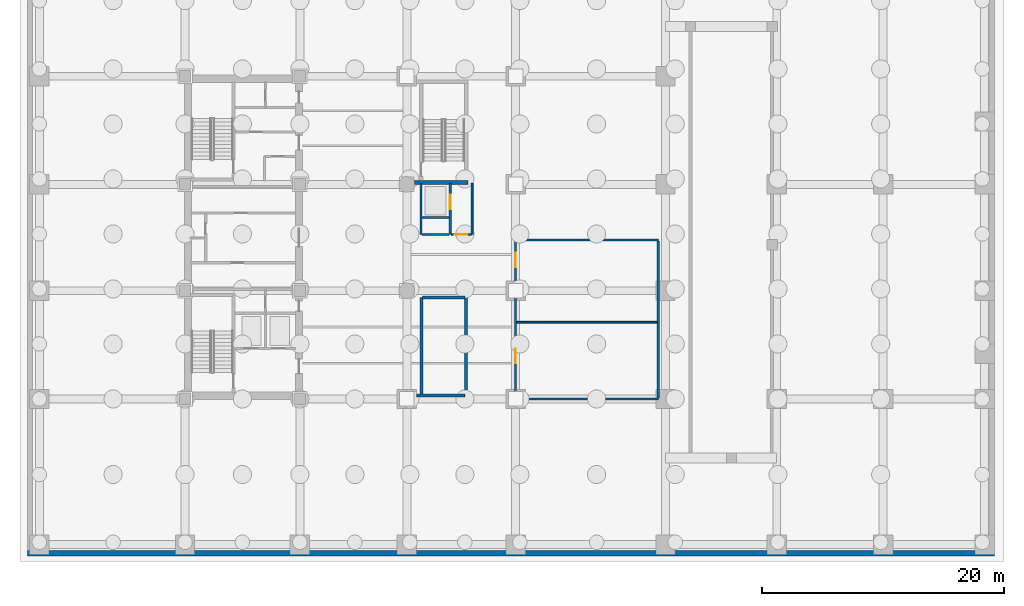
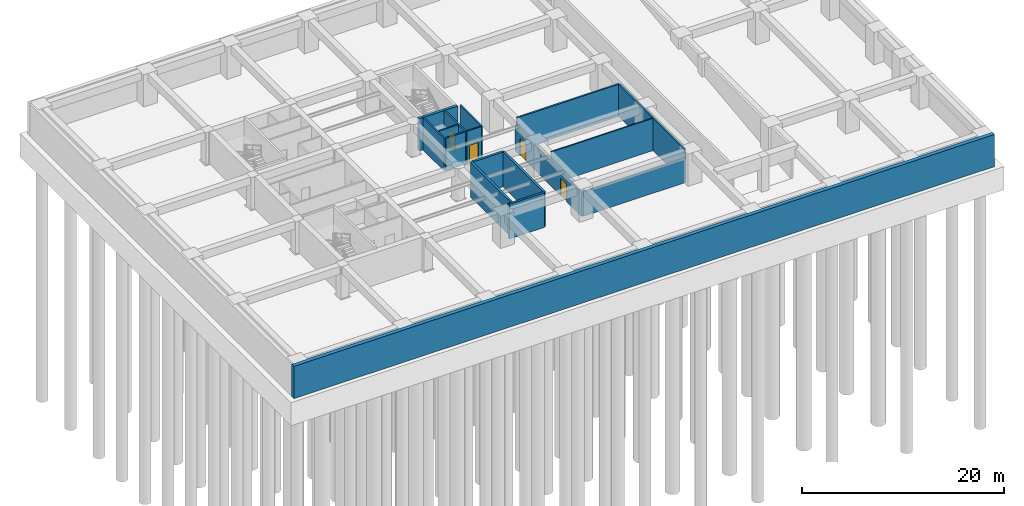
# One storey, part 5 of 9: 17 walls, 4 doors, 4 openings.
"""IFC4 building model written with IfcOpenShell, lengths in metres."""

from ifc_helpers import new_model, si_unit, direction, frame, frame_2d, origin, place, context, subcontext, project, spatial, rectangle, extrude, material, layer, layer_set, type_object, element, fill, save


model = new_model("IFC4")

# Units and contexts
model_context = context("Model", 3, precision=1e-05, world=origin(), true_north=direction((0.0, 1.0)))
body_context = subcontext(model_context, "Body", "Model", "MODEL_VIEW")
ifc_project = project(units=[si_unit("LENGTHUNIT", "METRE"), si_unit("AREAUNIT", "SQUARE_METRE"), si_unit("VOLUMEUNIT", "CUBIC_METRE"), si_unit("PLANEANGLEUNIT", "RADIAN"), si_unit("MASSUNIT", "GRAM", prefix="KILO")], contexts=[model_context])

# Site, building, storey
site_placement = place(None, origin())
site = spatial("IfcSite", under=ifc_project, at=site_placement, CompositionType="ELEMENT")
building_placement = place(site_placement, origin())
building = spatial("IfcBuilding", under=site, at=building_placement, Name="Kundavana Baori Tower", CompositionType="ELEMENT")
storey_placement = place(building_placement, frame((0.0, 0.0, -8.39990234375)))
storey = spatial("IfcBuildingStorey", under=building, at=storey_placement, Name="B02", CompositionType="ELEMENT", Elevation=-8.39990234375)

# Walls
ifc_material_1 = material(Name="Concrete C50/60", Category="concrete")
ifc_layer_1 = layer(ifc_material_1, 0.39990234375, Name="WL-CORE-400")
ifc_layer_set_1 = layer_set([ifc_layer_1], Name="Concrete C50/60")
wall_type_1 = type_object("IfcWallType", Name="WL-CORE-400", PredefinedType="SHEAR", material=ifc_layer_set_1)
for number, where, z_axis, x_axis, name in (
    (1, (35.010009765625, 15.5400390625, 0.0), (0.0, 0.0, 1.0), (0.0, 1.0, 0.0), "B02 Stair ST4 Substructure Shear Wall W"),
    (2, (38.68994140625, 15.5400390625, 0.0), (0.0, 0.0, 1.0), (0.0, 1.0, 0.0), "B02 Stair ST4 Substructure Shear Wall E"),
):
    element("IfcWall", number, at=place(storey_placement, frame(where, z_axis=z_axis, x_axis=x_axis)), inside=storey, type_object=wall_type_1, Name=name, PredefinedType="SHEAR", context=body_context, shape_type="SweptSolid", body=[
        extrude(rectangle(XDim=8.119873046875, YDim=0.239990234375, at=frame_2d((4.06005859375, 0.0))), origin(), (0.0, 0.0, 1.0), 4.199951171875),
    ])
wall_1_placement = place(storey_placement, frame((34.60009765625, 15.5400390625, 0.0), z_axis=(0.0, 0.0, 1.0), x_axis=(1.0, 0.0, 0.0)))
element("IfcWall", 3, at=wall_1_placement, inside=storey, type_object=wall_type_1, Name="B02 Stair ST4 Substructure Shear Wall S", PredefinedType="SHEAR", context=body_context, shape_type="SweptSolid", body=[
    extrude(rectangle(XDim=4.0, YDim=0.239990234375, at=frame_2d((2.0, 0.0))), origin(), (0.0, 0.0, 1.0), 4.199951171875),
])
wall_2_placement = place(storey_placement, frame((35.10009765625, 23.659912109375, 0.0), z_axis=(0.0, 0.0, 1.0), x_axis=(1.0, 0.0, 0.0)))
element("IfcWall", 4, at=wall_2_placement, inside=storey, type_object=wall_type_1, Name="B02 Stair ST4 Substructure Shear Wall N", PredefinedType="SHEAR", context=body_context, shape_type="SweptSolid", body=[
    extrude(rectangle(XDim=3.5, YDim=0.239990234375, at=frame_2d((1.75, 0.0))), origin(), (0.0, 0.0, 1.0), 4.199951171875),
])
ifc_material_2 = material(Name="Fire-Rated Gypsum Drywall on Galvanised Steel Studs", Category="steel")
ifc_layer_2 = layer(ifc_material_2, 0.14990234375, Name="WL-PART-150")
ifc_layer_set_2 = layer_set([ifc_layer_2], Name="Fire-Rated Gypsum Drywall on Galvanised Steel Studs")
wall_type_2 = type_object("IfcWallType", Name="WL-PART-150", PredefinedType="PARTITIONING", material=ifc_layer_set_2)
wall_3_placement = place(storey_placement, frame((39.199951171875, 28.860107421875, 0.0), z_axis=(0.0, 0.0, 1.0), x_axis=(0.0, 1.0, 0.0)))
element("IfcWall", 5, at=wall_3_placement, inside=storey, type_object=wall_type_2, Name="WL-B02-SVLOB-E", PredefinedType="PARTITIONING", context=body_context, shape_type="SweptSolid", body=[
    extrude(rectangle(XDim=4.219970703125, YDim=0.14990234375, at=frame_2d((2.10986328125, 0.0))), origin(), (0.0, 0.0, 1.0), 3.89990234375),
])

# Wall, opening, door
wall_4_placement = place(storey_placement, frame((37.47998046875, 28.860107421875, 0.0), z_axis=(0.0, 0.0, 1.0), x_axis=(1.0, 0.0, 0.0)))
wall_4 = element("IfcWall", 6, at=wall_4_placement, inside=storey, type_object=wall_type_2, Name="WL-B02-SVLOB-S", PredefinedType="PARTITIONING", context=body_context, shape_type="SweptSolid", body=[
    extrude(rectangle(XDim=1.64013671875, YDim=0.14990234375, at=frame_2d((0.820068359375, 0.0))), origin(), (0.0, 0.0, 1.0), 3.89990234375),
])
opening_1_placement = place(wall_4_placement, frame((0.300048828125, 0.0, 0.0)))
opening_1 = element("IfcOpeningElement", 7, at=opening_1_placement, cuts=wall_4, Name="Opening FD-100", PredefinedType="OPENING", context=body_context, shape_type="SweptSolid", body=[
    extrude(rectangle(XDim=1.0, YDim=2.10009765625, at=frame_2d((0.5, 1.050048828125))), frame((0.0, 0.0849609375, 0.0), z_axis=(0.0, -1.0, 0.0), x_axis=(1.0, 0.0, 0.0)), (0.0, 0.0, 1.0), 0.169921875),
])
ifc_material_3 = material(Name="Engineered Teak Fire-Rated Timber Door Leaf", Category="wood")
door_type_1 = type_object("IfcDoorType", Name="DR-FD60-1000", OperationType="NOTDEFINED", PredefinedType="DOOR", material=ifc_material_3)
door_1_placement = place(opening_1_placement, origin())
door_1 = element("IfcDoor", 8, at=door_1_placement, inside=storey, type_object=door_type_1, Name="DR-B02-SVLOB-OUT", OperationType="SINGLE_SWING_LEFT", OverallHeight=2.10009765625, OverallWidth=1.0, PredefinedType="DOOR", context=body_context, shape_type="SweptSolid", body=[
    extrude(rectangle(XDim=1.0, YDim=2.10009765625, at=frame_2d((0.5, 1.050048828125))), frame((0.0, 0.02490234375, 0.0), z_axis=(0.0, -1.0, 0.0), x_axis=(1.0, 0.0, 0.0)), (0.0, 0.0, 1.0), 0.050048828125),
])
fill(opening_1, door_1)

# Wall
wall_5_placement = place(storey_placement, frame((42.889892578125, 21.60009765625, 0.0), z_axis=(0.0, 0.0, 1.0), x_axis=(1.0, 0.0, 0.0)))
element("IfcWall", 9, at=wall_5_placement, inside=storey, type_object=wall_type_2, Name="WL-B02-BPLT-D1", PredefinedType="PARTITIONING", context=body_context, shape_type="SweptSolid", body=[
    extrude(rectangle(XDim=11.6201171875, YDim=0.14990234375, at=frame_2d((5.81005859375, 0.0))), origin(), (0.0, 0.0, 1.0), 3.89990234375),
])

# Wall, openings, doors
ifc_material_4 = material(Name="Autoclaved Aerated Concrete Blockwork Masonry", Category="masonry")
ifc_layer_3 = layer(ifc_material_4, 0.18505859375, Name="WL-PART-180")
ifc_layer_set_3 = layer_set([ifc_layer_3], Name="Autoclaved Aerated Concrete Blockwork Masonry")
wall_type_3 = type_object("IfcWallType", Name="WL-PART-180", PredefinedType="SOLIDWALL", material=ifc_layer_set_3)
wall_6_placement = place(storey_placement, frame((42.800048828125, 15.25, 0.0), z_axis=(0.0, 0.0, 1.0), x_axis=(0.0, 1.0, 0.0)))
wall_6 = element("IfcWall", 10, at=wall_6_placement, inside=storey, type_object=wall_type_3, Name="WL-B02-BPLT-W", PredefinedType="SOLIDWALL", context=body_context, shape_type="SweptSolid", body=[
    extrude(rectangle(XDim=13.14990234375, YDim=0.18505859375, at=frame_2d((6.574951171875, 0.0))), origin(), (0.0, 0.0, 1.0), 2.949951171875),
])
opening_2_placement = place(wall_6_placement, frame((2.949951171875, 0.0, 0.0)))
opening_2 = element("IfcOpeningElement", 11, at=opening_2_placement, cuts=wall_6, Name="Opening FD-120", PredefinedType="OPENING", context=body_context, shape_type="SweptSolid", body=[
    extrude(rectangle(XDim=1.199951171875, YDim=2.10009765625, at=frame_2d((0.60009765625, 1.050048828125))), frame((0.0, 0.1025390625, 0.0), z_axis=(0.0, -1.0, 0.0), x_axis=(1.0, 0.0, 0.0)), (0.0, 0.0, 1.0), 0.205078125),
])
opening_3_placement = place(wall_6_placement, frame((10.89990234375, 0.0, 0.0)))
opening_3 = element("IfcOpeningElement", 12, at=opening_3_placement, cuts=wall_6, Name="Opening FD-120", PredefinedType="OPENING", context=body_context, shape_type="SweptSolid", body=[
    extrude(rectangle(XDim=1.199951171875, YDim=2.10009765625, at=frame_2d((0.60009765625, 1.050048828125))), frame((0.0, 0.1025390625, 0.0), z_axis=(0.0, -1.0, 0.0), x_axis=(1.0, 0.0, 0.0)), (0.0, 0.0, 1.0), 0.205078125),
])
ifc_material_5 = material(Name="Galvanised Steel Fire-Rated Door Leaf", Category="steel")
door_type_2 = type_object("IfcDoorType", Name="DR-FD120-1200", OperationType="NOTDEFINED", PredefinedType="DOOR", material=ifc_material_5)
door_2_placement = place(opening_2_placement, origin())
door_2 = element("IfcDoor", 13, at=door_2_placement, inside=storey, type_object=door_type_2, Name="DR-B02-BPLT1", OperationType="SINGLE_SWING_LEFT", OverallHeight=2.10009765625, OverallWidth=1.199951171875, PredefinedType="DOOR", context=body_context, shape_type="SweptSolid", body=[
    extrude(rectangle(XDim=1.199951171875, YDim=2.10009765625, at=frame_2d((0.60009765625, 1.050048828125))), frame((0.0, 0.02490234375, 0.0), z_axis=(0.0, -1.0, 0.0), x_axis=(1.0, 0.0, 0.0)), (0.0, 0.0, 1.0), 0.050048828125),
])
fill(opening_2, door_2)
door_3_placement = place(opening_3_placement, origin())
door_3 = element("IfcDoor", 14, at=door_3_placement, inside=storey, type_object=door_type_2, Name="DR-B02-BPLT2", OperationType="SINGLE_SWING_RIGHT", OverallHeight=2.10009765625, OverallWidth=1.199951171875, PredefinedType="DOOR", context=body_context, shape_type="SweptSolid", body=[
    extrude(rectangle(XDim=1.199951171875, YDim=2.10009765625, at=frame_2d((0.60009765625, 1.050048828125))), frame((0.0, 0.02490234375, 0.0), z_axis=(0.0, -1.0, 0.0), x_axis=(1.0, 0.0, 0.0)), (0.0, 0.0, 1.0), 0.050048828125),
])
fill(opening_3, door_3)

# Walls
wall_7_placement = place(storey_placement, frame((42.889892578125, 28.39990234375, 0.0), z_axis=(0.0, 0.0, 1.0), x_axis=(1.0, 0.0, 0.0)))
element("IfcWall", 15, at=wall_7_placement, inside=storey, type_object=wall_type_3, Name="WL-B02-BPLT-N", PredefinedType="SOLIDWALL", context=body_context, shape_type="SweptSolid", body=[
    extrude(rectangle(XDim=11.710205078125, YDim=0.18505859375, at=frame_2d((5.85498046875, 0.0))), origin(), (0.0, 0.0, 1.0), 3.89990234375),
])
wall_8_placement = place(storey_placement, frame((42.889892578125, 15.25, 0.0), z_axis=(0.0, 0.0, 1.0), x_axis=(1.0, 0.0, 0.0)))
element("IfcWall", 16, at=wall_8_placement, inside=storey, type_object=wall_type_3, Name="WL-B02-BPLT-S", PredefinedType="SOLIDWALL", context=body_context, shape_type="SweptSolid", body=[
    extrude(rectangle(XDim=11.710205078125, YDim=0.18505859375, at=frame_2d((5.85498046875, 0.0))), origin(), (0.0, 0.0, 1.0), 2.949951171875),
])
wall_9_placement = place(storey_placement, frame((54.60009765625, 15.340087890625, 0.0), z_axis=(0.0, 0.0, 1.0), x_axis=(0.0, 1.0, 0.0)))
element("IfcWall", 17, at=wall_9_placement, inside=storey, type_object=wall_type_3, Name="WL-B02-BPLT-E", PredefinedType="SOLIDWALL", context=body_context, shape_type="SweptSolid", body=[
    extrude(rectangle(XDim=12.969970703125, YDim=0.18505859375, at=frame_2d((6.48486328125, 0.0))), origin(), (0.0, 0.0, 1.0), 3.89990234375),
])
ifc_material_6 = material(Name="Concrete C40/50", Category="concrete")
ifc_layer_4 = layer(ifc_material_6, 0.449951171875, Name="WL-RET-450")
ifc_layer_set_4 = layer_set([ifc_layer_4], Name="Concrete C40/50")
wall_type_4 = type_object("IfcWallType", Name="WL-RET-450", PredefinedType="SHEAR", material=ifc_layer_set_4)
wall_10_placement = place(storey_placement, frame((2.39990234375, 2.47509765625, 0.0), z_axis=(0.0, 0.0, 1.0), x_axis=(1.0, 0.0, 0.0)))
element("IfcWall", 18, at=wall_10_placement, inside=storey, type_object=wall_type_4, Name="B02 South Perimeter Retaining Wall", PredefinedType="SHEAR", context=body_context, shape_type="SweptSolid", body=[
    extrude(rectangle(XDim=80.0, YDim=0.449951171875, at=frame_2d((40.0, 0.0))), origin(), (0.0, 0.0, 1.0), 3.89990234375),
])
ifc_material_7 = material(Name="Autoclaved Aerated Concrete Blockwork Masonry", Category="masonry")
ifc_layer_5 = layer(ifc_material_7, 0.179931640625, Name="WL-SHAFT-180")
ifc_layer_set_5 = layer_set([ifc_layer_5], Name="Autoclaved Aerated Concrete Blockwork Masonry")
wall_type_5 = type_object("IfcWallType", Name="WL-SHAFT-180", PredefinedType="SOLIDWALL", material=ifc_layer_set_5)
wall_11_placement = place(storey_placement, frame((34.9599609375, 28.860107421875, 0.0), z_axis=(0.0, 0.0, 1.0), x_axis=(0.0, 1.0, 0.0)))
element("IfcWall", 19, at=wall_11_placement, inside=storey, type_object=wall_type_5, Name="WL-B02-SVL-W", PredefinedType="SOLIDWALL", context=body_context, shape_type="SweptSolid", body=[
    extrude(rectangle(XDim=4.219970703125, YDim=0.179931640625, at=frame_2d((2.10986328125, 0.0))), origin(), (0.0, 0.0, 1.0), 3.89990234375),
])

# Wall, opening, door
wall_12_placement = place(storey_placement, frame((37.389892578125, 28.860107421875, 0.0), z_axis=(0.0, 0.0, 1.0), x_axis=(0.0, 1.0, 0.0)))
wall_12 = element("IfcWall", 20, at=wall_12_placement, inside=storey, type_object=wall_type_5, Name="WL-B02-SVL-E", PredefinedType="SOLIDWALL", context=body_context, shape_type="SweptSolid", body=[
    extrude(rectangle(XDim=4.219970703125, YDim=0.179931640625, at=frame_2d((2.10986328125, 0.0))), origin(), (0.0, 0.0, 1.0), 3.89990234375),
])
opening_4_placement = place(wall_12_placement, frame((2.10009765625, 0.0, 0.0)))
opening_4 = element("IfcOpeningElement", 21, at=opening_4_placement, cuts=wall_12, Name="Opening LD-120", PredefinedType="OPENING", context=body_context, shape_type="SweptSolid", body=[
    extrude(rectangle(XDim=1.199951171875, YDim=2.1201171875, at=frame_2d((0.60009765625, 1.06005859375))), frame((0.0, 0.10009765625, 0.0), z_axis=(0.0, -1.0, 0.0), x_axis=(1.0, 0.0, 0.0)), (0.0, 0.0, 1.0), 0.199951171875),
])
ifc_material_8 = material(Name="Galvanised Steel Fire-Rated Door Leaf", Category="steel")
door_type_3 = type_object("IfcDoorType", Name="DR-SLIDE-LD1200", OperationType="NOTDEFINED", PredefinedType="DOOR", material=ifc_material_8)
door_4_placement = place(opening_4_placement, frame((1.199951171875, 0.0, 0.0), z_axis=(0.0, 0.0, 1.0), x_axis=(-1.0, 0.0, 0.0)))
door_4 = element("IfcDoor", 22, at=door_4_placement, inside=storey, type_object=door_type_3, Name="DR-B02-LD-SVL1", OperationType="DOUBLE_DOOR_SLIDING", OverallHeight=2.1201171875, OverallWidth=1.199951171875, PredefinedType="DOOR", context=body_context, shape_type="SweptSolid", body=[
    extrude(rectangle(XDim=1.199951171875, YDim=2.1201171875, at=frame_2d((0.60009765625, 1.06005859375))), frame((0.0, 0.02490234375, 0.0), z_axis=(0.0, -1.0, 0.0), x_axis=(1.0, 0.0, 0.0)), (0.0, 0.0, 1.0), 0.050048828125),
])
fill(opening_4, door_4)

# Walls
for number, where, z_axis, x_axis, name in (
    (23, (35.050048828125, 28.860107421875, 0.0), (0.0, 0.0, 1.0), (1.0, 0.0, 0.0), "WL-B02-SVL-S"),
    (24, (35.050048828125, 30.27001953125, 0.0), (0.0, 0.0, 1.0), (1.0, 0.0, 0.0), "WL-B02-SVL-M"),
):
    element("IfcWall", number, at=place(storey_placement, frame(where, z_axis=z_axis, x_axis=x_axis)), inside=storey, type_object=wall_type_5, Name=name, PredefinedType="SOLIDWALL", context=body_context, shape_type="SweptSolid", body=[
        extrude(rectangle(XDim=2.25, YDim=0.179931640625, at=frame_2d((1.125, 0.0))), origin(), (0.0, 0.0, 1.0), 3.89990234375),
    ])
ifc_material_9 = material(Name="Concrete C50/60", Category="concrete")
ifc_layer_6 = layer(ifc_material_9, 0.300048828125, Name="WL-ST3-300")
ifc_layer_set_6 = layer_set([ifc_layer_6], Name="Concrete C50/60")
wall_type_6 = type_object("IfcWallType", Name="WL-ST3-300", PredefinedType="SHEAR", material=ifc_layer_set_6)
wall_13_placement = place(storey_placement, frame((34.449951171875, 33.159912109375, 0.0), z_axis=(0.0, 0.0, 1.0), x_axis=(1.0, 0.0, 0.0)))
element("IfcWall", 25, at=wall_13_placement, inside=storey, type_object=wall_type_6, Name="B02 Stair ST3 South Shear Wall", PredefinedType="SHEAR", context=body_context, shape_type="SweptSolid", body=[
    extrude(rectangle(XDim=4.420166015625, YDim=0.300048828125, at=frame_2d((2.2099609375, 0.0))), origin(), (0.0, 0.0, 1.0), 3.89990234375),
])

save(model, "model.ifc")
